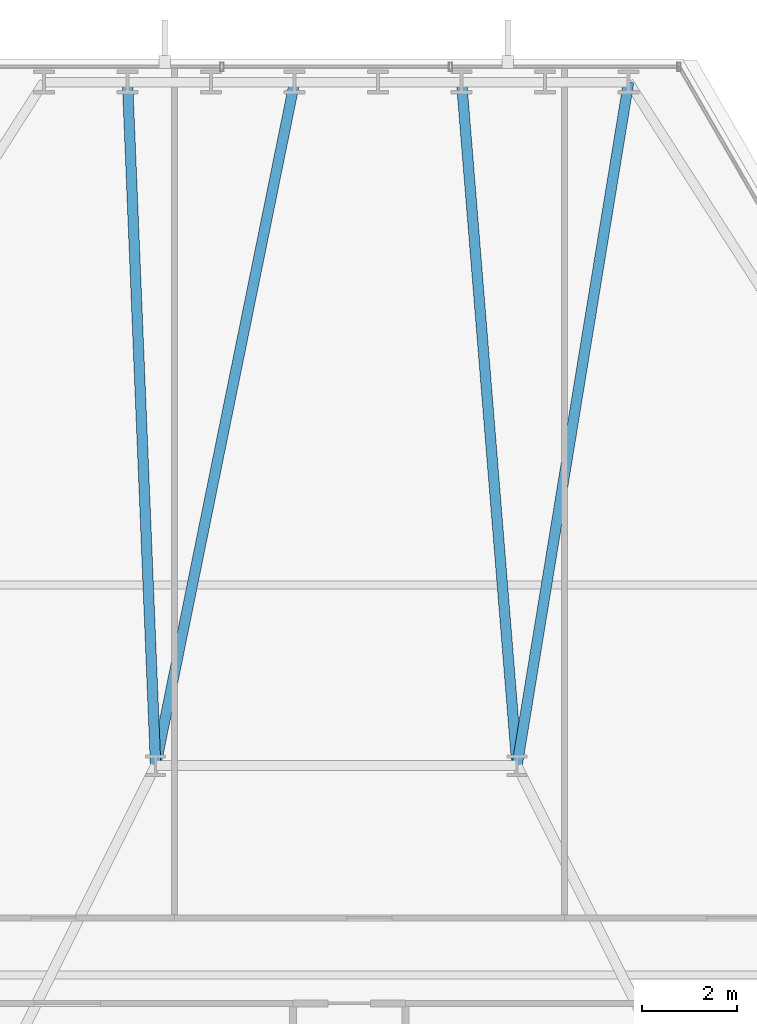
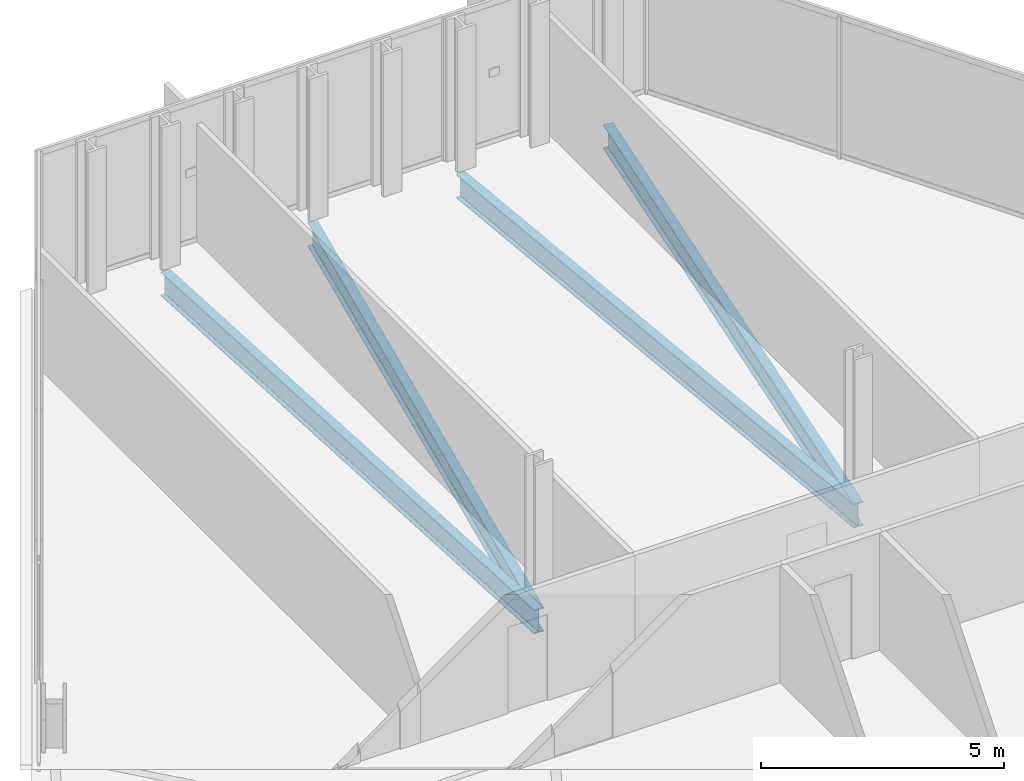
# One storey, part 23 of 33: 4 beams.
"""IFC4 building model written with IfcOpenShell, lengths in metres."""

from ifc_helpers import new_model, si_unit, direction, frame, origin, origin_2d, place, context, subcontext, project, spatial, i_section, extrude, material, material_profile, profile_set, type_object, element, save


model = new_model("IFC4")

# Units and contexts
model_context = context("Model", 3, precision=1e-05, world=origin(), true_north=direction((0.0, 1.0)))
body_context = subcontext(model_context, "Body", "Model", "MODEL_VIEW")
ifc_project = project(units=[si_unit("LENGTHUNIT", "METRE"), si_unit("AREAUNIT", "SQUARE_METRE"), si_unit("VOLUMEUNIT", "CUBIC_METRE"), si_unit("PLANEANGLEUNIT", "RADIAN"), si_unit("MASSUNIT", "GRAM", prefix="KILO")], contexts=[model_context])

# Site, building, storey
site_placement = place(None, origin())
site = spatial("IfcSite", under=ifc_project, at=site_placement, CompositionType="ELEMENT")
building_placement = place(site_placement, origin())
building = spatial("IfcBuilding", under=site, at=building_placement, Name="Ndaravel Arena Tower", CompositionType="ELEMENT")
storey_placement = place(building_placement, frame((0.0, 0.0, 81.60009765625)))
storey = spatial("IfcBuildingStorey", under=building, at=storey_placement, Name="L18", CompositionType="ELEMENT", Elevation=81.60009765625)

# Beams
ifc_material = material(Name="Steel S355", Category="steel")
ifc_material_profile = material_profile(ifc_material, i_section(OverallWidth=0.219970703125, OverallDepth=0.60009765625, WebThickness=0.011962890625, FlangeThickness=0.01904296875, FilletRadius=0.02392578125, at=origin_2d()), Name="IPE 600")
ifc_profile_set = profile_set([ifc_material_profile], Name="Steel S355")
beam_type = type_object("IfcBeamType", Name="BM-GIRD-IPE600", PredefinedType="BEAM", material=ifc_profile_set)
beam_1_placement = place(storey_placement, frame((48.147216796875, 45.575927734375, -0.52001953125), z_axis=(-0.161136563315, -0.986932119228, 0.0), x_axis=(0.986932119228, -0.161136563315, 0.0)))
element("IfcBeam", 1, at=beam_1_placement, inside=storey, type_object=beam_type, Name="L18 Radial Floor Girder FG-11", PredefinedType="BEAM", context=body_context, shape_type="SweptSolid", body=[
    extrude(i_section(OverallWidth=0.219970703125, OverallDepth=0.60009765625, WebThickness=0.011962890625, FlangeThickness=0.01904296875, FilletRadius=0.02392578125, at=origin_2d()), origin(), (0.0, 0.0, 1.0), 14.56640625),
])
beam_2_placement = place(storey_placement, frame((44.634521484375, 45.575927734375, -0.52001953125), z_axis=(0.080809505784, -0.996729564012, 0.0), x_axis=(0.996729564012, 0.080809505784, 0.0)))
element("IfcBeam", 2, at=beam_2_placement, inside=storey, type_object=beam_type, Name="L18 Radial Floor Girder FG-13", PredefinedType="BEAM", context=body_context, shape_type="SweptSolid", body=[
    extrude(i_section(OverallWidth=0.219970703125, OverallDepth=0.60009765625, WebThickness=0.011962890625, FlangeThickness=0.01904296875, FilletRadius=0.02392578125, at=origin_2d()), origin(), (0.0, 0.0, 1.0), 14.423095703125),
])
beam_3_placement = place(storey_placement, frame((41.121826171875, 45.575927734375, -0.52001953125), z_axis=(-0.199174799524, -0.979963978539, 0.0), x_axis=(0.979963978539, -0.199174799524, 0.0)))
element("IfcBeam", 3, at=beam_3_placement, inside=storey, type_object=beam_type, Name="L18 Radial Floor Girder FG-15", PredefinedType="BEAM", context=body_context, shape_type="SweptSolid", body=[
    extrude(i_section(OverallWidth=0.219970703125, OverallDepth=0.60009765625, WebThickness=0.011962890625, FlangeThickness=0.01904296875, FilletRadius=0.02392578125, at=origin_2d()), origin(), (0.0, 0.0, 1.0), 14.669921875),
])
beam_4_placement = place(storey_placement, frame((37.609375, 45.575927734375, -0.52001953125), z_axis=(0.041046148223, -0.999157251746, 0.0), x_axis=(0.999157251746, 0.041046148223, 0.0)))
element("IfcBeam", 4, at=beam_4_placement, inside=storey, type_object=beam_type, Name="L18 Radial Floor Girder FG-17", PredefinedType="BEAM", context=body_context, shape_type="SweptSolid", body=[
    extrude(i_section(OverallWidth=0.219970703125, OverallDepth=0.60009765625, WebThickness=0.011962890625, FlangeThickness=0.01904296875, FilletRadius=0.02392578125, at=origin_2d()), origin(), (0.0, 0.0, 1.0), 14.38818359375),
])

save(model, "model.ifc")
